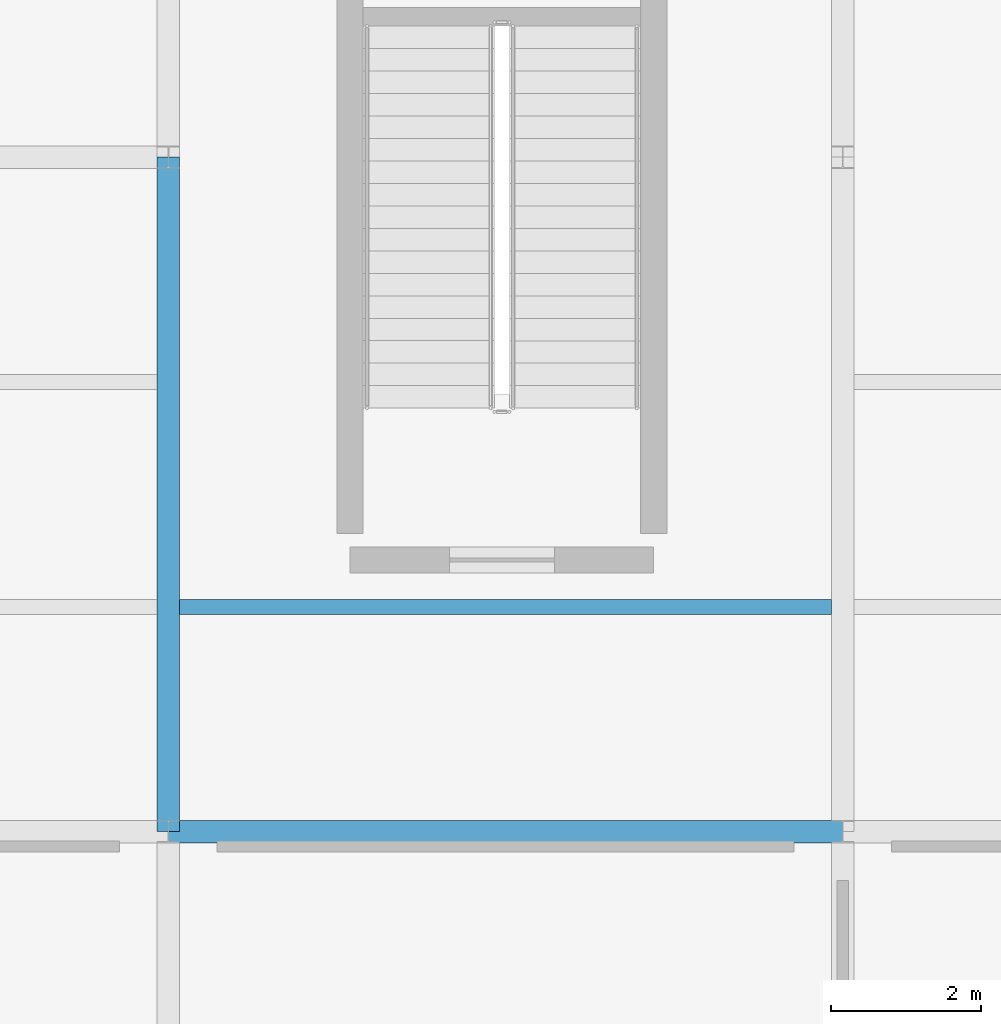
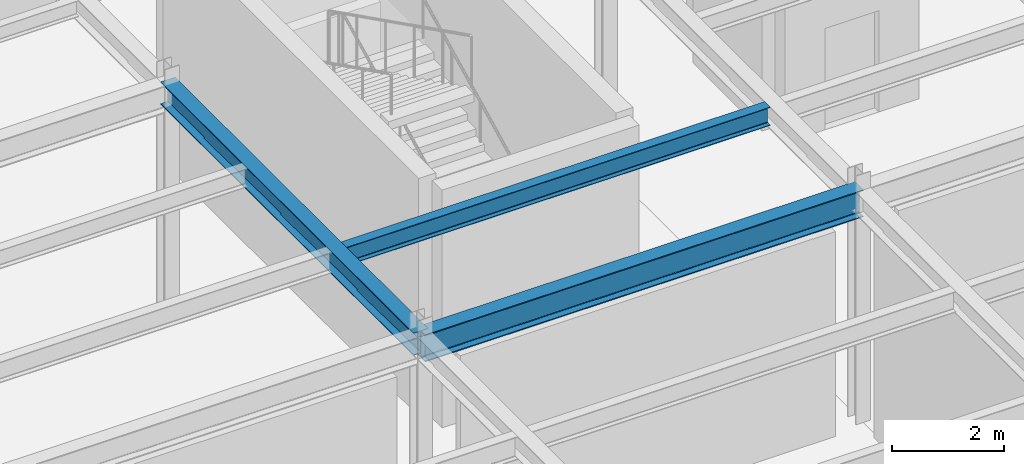
# One storey, part 36 of 155: 3 beams.
"""IFC4 building model written with IfcOpenShell, lengths in metres."""

from ifc_helpers import new_model, si_unit, direction, frame, origin, origin_2d, place, context, subcontext, project, spatial, i_section, extrude, material, material_profile, profile_set, type_object, element, save


model = new_model("IFC4")

# Units and contexts
model_context = context("Model", 3, precision=1e-05, world=origin(), true_north=direction((0.0, 1.0)))
body_context = subcontext(model_context, "Body", "Model", "MODEL_VIEW")
ifc_project = project(units=[si_unit("LENGTHUNIT", "METRE"), si_unit("AREAUNIT", "SQUARE_METRE"), si_unit("VOLUMEUNIT", "CUBIC_METRE"), si_unit("PLANEANGLEUNIT", "RADIAN"), si_unit("MASSUNIT", "GRAM", prefix="KILO")], contexts=[model_context])

# Site, building, storey
site_placement = place(None, origin())
site = spatial("IfcSite", under=ifc_project, at=site_placement, CompositionType="ELEMENT")
building_placement = place(site_placement, origin())
building = spatial("IfcBuilding", under=site, at=building_placement, Name="Haizhuo Lancet Aquarium", CompositionType="ELEMENT")
storey_placement = place(building_placement, frame((0.0, 0.0, 10.800048828125)))
storey = spatial("IfcBuildingStorey", under=building, at=storey_placement, Name="L02", CompositionType="ELEMENT", Elevation=10.800048828125)

# Beams
ifc_material = material(Name="Steel S355", Category="steel")
ifc_material_profile_1 = material_profile(ifc_material, i_section(OverallWidth=0.300048828125, OverallDepth=0.488037109375, WebThickness=0.010986328125, FlangeThickness=0.01806640625, FilletRadius=0.02392578125, at=origin_2d()), Name="HM 488x300x11x18")
ifc_profile_set_1 = profile_set([ifc_material_profile_1], Name="Steel S355")
beam_type_1 = type_object("IfcBeamType", Name="BM-ST-HM488", PredefinedType="BEAM", material=ifc_profile_set_1)
beam_1_placement = place(storey_placement, frame((-9.0, -45.0, 4.805908203125), z_axis=(0.0, 1.0, 0.0), x_axis=(-1.0, 0.0, 0.0)))
element("IfcBeam", 1, at=beam_1_placement, inside=storey, type_object=beam_type_1, Name="L02 V4 primary girder BM-L02-V4-010", PredefinedType="BEAM", context=body_context, shape_type="SweptSolid", body=[
    extrude(i_section(OverallWidth=0.300048828125, OverallDepth=0.488037109375, WebThickness=0.010986328125, FlangeThickness=0.01806640625, FilletRadius=0.02392578125, at=origin_2d()), origin(), (0.0, 0.0, 1.0), 9.0),
])
ifc_material_profile_2 = material_profile(ifc_material, i_section(OverallWidth=0.300048828125, OverallDepth=0.587890625, WebThickness=0.011962890625, FlangeThickness=0.02001953125, FilletRadius=0.02587890625, at=origin_2d()), Name="HM 588x300x12x20")
ifc_profile_set_2 = profile_set([ifc_material_profile_2], Name="Steel S355")
beam_type_2 = type_object("IfcBeamType", Name="BM-ST-HM588", PredefinedType="BEAM", material=ifc_profile_set_2)
beam_2_placement = place(storey_placement, frame((-9.0, -45.0, 4.755859375), z_axis=(1.0, 0.0, 0.0), x_axis=(0.0, 1.0, 0.0)))
element("IfcBeam", 2, at=beam_2_placement, inside=storey, type_object=beam_type_2, Name="L02 V4 primary girder BM-L02-V4-011", PredefinedType="BEAM", context=body_context, shape_type="SweptSolid", body=[
    extrude(i_section(OverallWidth=0.300048828125, OverallDepth=0.587890625, WebThickness=0.011962890625, FlangeThickness=0.02001953125, FilletRadius=0.02587890625, at=origin_2d()), origin(), (0.0, 0.0, 1.0), 9.0),
])
ifc_material_profile_3 = material_profile(ifc_material, i_section(OverallWidth=0.199951171875, OverallDepth=0.39990234375, WebThickness=0.008056640625, FlangeThickness=0.012939453125, FilletRadius=0.01611328125, at=origin_2d()), Name="HN 400x200x8x13")
ifc_profile_set_3 = profile_set([ifc_material_profile_3], Name="Steel S355")
beam_type_3 = type_object("IfcBeamType", Name="JST-ST-HN400", PredefinedType="JOIST", material=ifc_profile_set_3)
beam_3_placement = place(storey_placement, frame((-8.85009765625, -42.0, 4.849853515625), z_axis=(1.0, 0.0, 0.0), x_axis=(0.0, 1.0, 0.0)))
element("IfcBeam", 3, at=beam_3_placement, inside=storey, type_object=beam_type_3, Name="L02 V4 secondary floor joist 9", PredefinedType="JOIST", context=body_context, shape_type="SweptSolid", body=[
    extrude(i_section(OverallWidth=0.199951171875, OverallDepth=0.39990234375, WebThickness=0.008056640625, FlangeThickness=0.012939453125, FilletRadius=0.01611328125, at=origin_2d()), origin(), (0.0, 0.0, 1.0), 8.7001953125),
])

save(model, "model.ifc")
